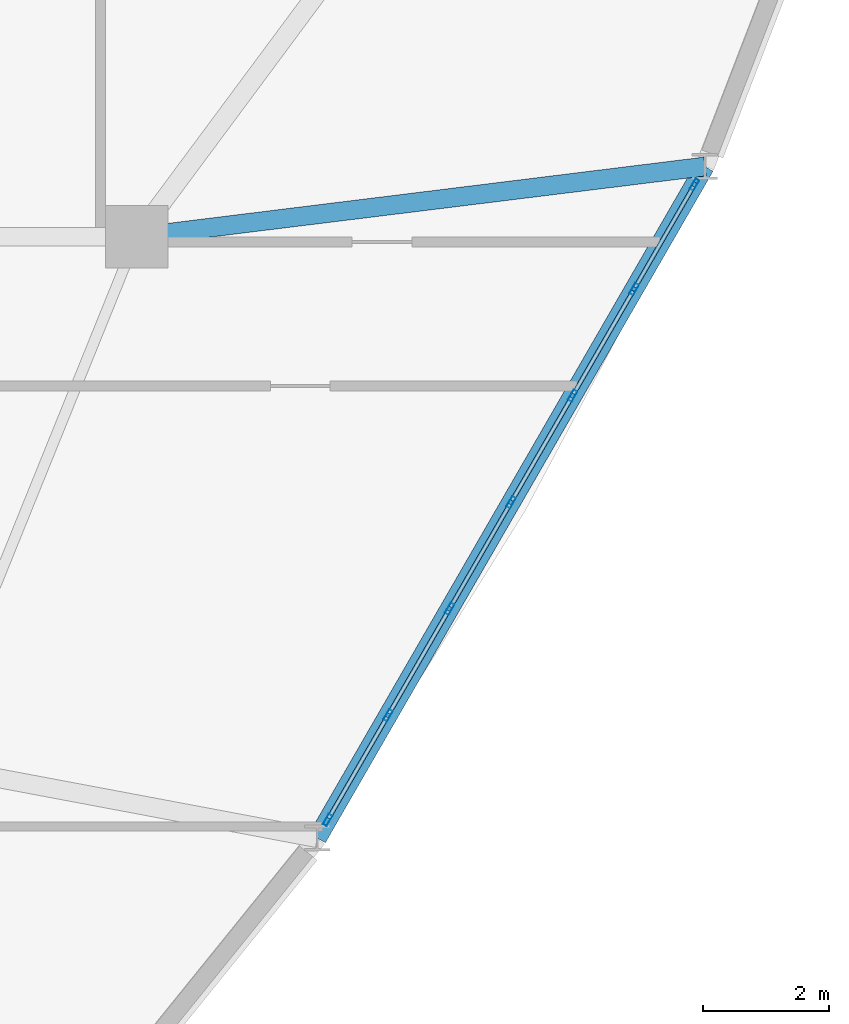
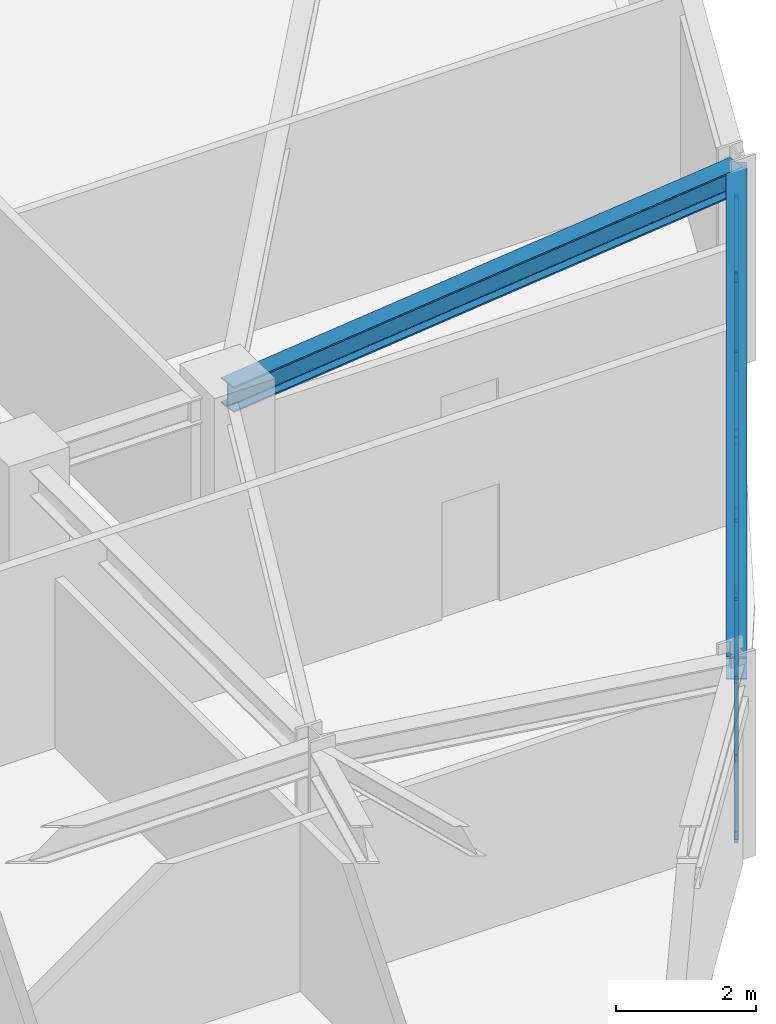
# One storey, part 6 of 18: 21 members, 2 beams, 1 element without a shape of its own.
"""IFC4 building model written with IfcOpenShell, lengths in metres."""

from ifc_helpers import new_model, si_unit, derived_unit, direction, frame, origin, origin_2d, place, context, subcontext, project, spatial, hollow_rectangle, i_section, extrude, source, transform, mapped, material, layer, layer_set, material_profile, profile_set, type_object, element, aggregate, save


model = new_model("IFC4")

# Units and contexts
model_context = context("Model", 3, precision=1e-05, world=origin(), true_north=direction((0.0, 1.0)))
body_context = subcontext(model_context, "Body", "Model", "MODEL_VIEW")
ifc_project = project(units=[si_unit("LENGTHUNIT", "METRE"), si_unit("AREAUNIT", "SQUARE_METRE"), si_unit("VOLUMEUNIT", "CUBIC_METRE"), si_unit("PLANEANGLEUNIT", "RADIAN"), si_unit("MASSUNIT", "GRAM", prefix="KILO"), derived_unit("THERMALTRANSMITTANCEUNIT", [(si_unit("POWERUNIT", "WATT"), 1), (si_unit("LENGTHUNIT", "METRE"), -2), (si_unit("THERMODYNAMICTEMPERATUREUNIT", "KELVIN"), -1)])], contexts=[model_context])

# Site, building, storey
site_placement = place(None, origin())
site = spatial("IfcSite", under=ifc_project, at=site_placement, CompositionType="ELEMENT")
building_placement = place(site_placement, origin())
building = spatial("IfcBuilding", under=site, at=building_placement, Name="Korsvarv Bourse and Concert Hall", CompositionType="ELEMENT")
storey_placement = place(building_placement, frame((0.0, 0.0, 209.39990234375)))
storey = spatial("IfcBuildingStorey", under=building, at=storey_placement, Name="L54", CompositionType="ELEMENT", Elevation=209.39990234375)

# Beams
ifc_material_1 = material(Name="Steel S355", Category="steel")
ifc_material_profile_1 = material_profile(ifc_material_1, i_section(OverallWidth=0.300048828125, OverallDepth=0.389892578125, WebThickness=0.010986328125, FlangeThickness=0.01904296875, FilletRadius=0.02099609375, at=origin_2d()), Name="HEA 400")
ifc_profile_set_1 = profile_set([ifc_material_profile_1], Name="Steel S355")
beam_type_1 = type_object("IfcBeamType", Name="BM-HEA400", PredefinedType="BEAM", material=ifc_profile_set_1)
shared_shape_1 = source(origin(), body_context, "Body", "SweptSolid", [
    extrude(i_section(OverallWidth=0.300048828125, OverallDepth=0.389892578125, WebThickness=0.010986328125, FlangeThickness=0.01904296875, FilletRadius=0.02099609375, at=origin_2d()), origin(), (0.0, 0.0, 1.0), 12.353271484375),
])
beam_1_placement = place(storey_placement, frame((50.675048828125, 22.820068359375, 3.215087890625), z_axis=(0.500007577232, 0.866021029023, 0.0), x_axis=(-0.866021029023, 0.500007577232, 0.0)))
element("IfcBeam", 1, at=beam_1_placement, inside=storey, type_object=beam_type_1, Name="L54 beam B-11", PredefinedType="BEAM", context=body_context, shape_type="MappedRepresentation", body=[
    mapped(shared_shape_1, transform((0.0, 0.0, 0.0), scale=1.0)),
])
ifc_material_profile_2 = material_profile(ifc_material_1, i_section(OverallWidth=0.300048828125, OverallDepth=0.449951171875, WebThickness=0.013916015625, FlangeThickness=0.02587890625, FilletRadius=0.02099609375, at=origin_2d()), Name="HEB 450")
ifc_profile_set_2 = profile_set([ifc_material_profile_2], Name="Steel S355")
beam_type_2 = type_object("IfcBeamType", Name="BM-HEB450", PredefinedType="SPANDREL", material=ifc_profile_set_2)
shared_shape_2 = source(origin(), body_context, "Body", "SweptSolid", [
    extrude(i_section(OverallWidth=0.300048828125, OverallDepth=0.449951171875, WebThickness=0.013916015625, FlangeThickness=0.02587890625, FilletRadius=0.02099609375, at=origin_2d()), origin(), (0.0, 0.0, 1.0), 9.12060546875),
])
beam_2_placement = place(storey_placement, frame((56.851806640625, 33.518310546875, 3.18505859375), z_axis=(-0.992453132318, -0.122624549551, 0.0), x_axis=(0.122624549551, -0.992453132318, 0.0)))
element("IfcBeam", 2, at=beam_2_placement, inside=storey, type_object=beam_type_2, Name="L54 beam B-08", PredefinedType="SPANDREL", context=body_context, shape_type="MappedRepresentation", body=[
    mapped(shared_shape_2, transform((0.0, 0.0, 0.0), scale=1.0)),
])

# Curtain wall, members
ifc_material_2 = material(Name="Anodised aluminium and triple low-E glazing", Category="glass")
ifc_layer = layer(ifc_material_2, 0.199951171875)
ifc_layer_set = layer_set([ifc_layer], Name="Anodised aluminium and triple low-E glazing")
curtain_wall_type = type_object("IfcCurtainWallType", Name="CW-SYS-3", PredefinedType="NOTDEFINED", material=ifc_layer_set)
curtain_wall_placement = place(storey_placement, origin())
curtain_wall = element("IfcCurtainWall", 3, at=curtain_wall_placement, inside=storey, type_object=curtain_wall_type, Name="L54 CW3 curtain wall CW-L54-F11", PredefinedType="NOTDEFINED")
ifc_material_3 = material(Name="Extruded aluminium EN AW-6063 T66", Category="aluminium")
ifc_material_profile_3 = material_profile(ifc_material_3, hollow_rectangle(XDim=0.070068359375, YDim=0.18994140625, WallThickness=0.0048828125, at=origin_2d()), Name="ALU-M 70x190")
ifc_profile_set_3 = profile_set([ifc_material_profile_3], Name="Extruded aluminium EN AW-6063 T66")
member_type_1 = type_object("IfcMemberType", Name="CWM-190", PredefinedType="MULLION", material=ifc_profile_set_3)
shared_shape_3 = source(origin(), body_context, "Body", "SweptSolid", [
    extrude(hollow_rectangle(XDim=0.070068359375, YDim=0.18994140625, WallThickness=0.0048828125, at=origin_2d()), origin(), (0.0, 0.0, 1.0), 3.02001953125),
])
member_1_placement = place(storey_placement, frame((50.841552734375, 23.1083984375, 0.0), z_axis=(0.0, 0.0, 1.0), x_axis=(-0.86602737949, 0.499996577961, 0.0)))
member_1 = element("IfcMember", 4, at=member_1_placement, type_object=member_type_1, Name="CW3 mullion 1", PredefinedType="MULLION", context=body_context, shape_type="MappedRepresentation", body=[
    mapped(shared_shape_3, transform((0.0, 0.0, 0.0), scale=1.0)),
])
member_2_placement = place(storey_placement, frame((51.803955078125, 24.775146484375, 0.0), z_axis=(0.0, 0.0, 1.0), x_axis=(-0.86602737949, 0.499996577961, 0.0)))
member_2 = element("IfcMember", 5, at=member_2_placement, type_object=member_type_1, Name="CW3 mullion 2", PredefinedType="MULLION", context=body_context, shape_type="MappedRepresentation", body=[
    mapped(shared_shape_3, transform((0.0, 0.0, 0.0), scale=1.0)),
])
member_3_placement = place(storey_placement, frame((52.78369140625, 26.47216796875, 0.0), z_axis=(0.0, 0.0, 1.0), x_axis=(-0.86602737949, 0.499996577961, 0.0)))
member_3 = element("IfcMember", 6, at=member_3_placement, type_object=member_type_1, Name="CW3 mullion 3", PredefinedType="MULLION", context=body_context, shape_type="MappedRepresentation", body=[
    mapped(shared_shape_3, transform((0.0, 0.0, 0.0), scale=1.0)),
])
member_4_placement = place(storey_placement, frame((53.763427734375, 28.169189453125, 0.0), z_axis=(0.0, 0.0, 1.0), x_axis=(-0.86602737949, 0.499996577961, 0.0)))
member_4 = element("IfcMember", 7, at=member_4_placement, type_object=member_type_1, Name="CW3 mullion 4", PredefinedType="MULLION", context=body_context, shape_type="MappedRepresentation", body=[
    mapped(shared_shape_3, transform((0.0, 0.0, 0.0), scale=1.0)),
])
member_5_placement = place(storey_placement, frame((54.7431640625, 29.8662109375, 0.0), z_axis=(0.0, 0.0, 1.0), x_axis=(-0.86602737949, 0.499996577961, 0.0)))
member_5 = element("IfcMember", 8, at=member_5_placement, type_object=member_type_1, Name="CW3 mullion 5", PredefinedType="MULLION", context=body_context, shape_type="MappedRepresentation", body=[
    mapped(shared_shape_3, transform((0.0, 0.0, 0.0), scale=1.0)),
])
member_6_placement = place(storey_placement, frame((55.722900390625, 31.563232421875, 0.0), z_axis=(0.0, 0.0, 1.0), x_axis=(-0.86602737949, 0.499996577961, 0.0)))
member_6 = element("IfcMember", 9, at=member_6_placement, type_object=member_type_1, Name="CW3 mullion 6", PredefinedType="MULLION", context=body_context, shape_type="MappedRepresentation", body=[
    mapped(shared_shape_3, transform((0.0, 0.0, 0.0), scale=1.0)),
])
member_7_placement = place(storey_placement, frame((56.685302734375, 33.22998046875, 0.0), z_axis=(0.0, 0.0, 1.0), x_axis=(-0.86602737949, 0.499996577961, 0.0)))
member_7 = element("IfcMember", 10, at=member_7_placement, type_object=member_type_1, Name="CW3 mullion 7", PredefinedType="MULLION", context=body_context, shape_type="MappedRepresentation", body=[
    mapped(shared_shape_3, transform((0.0, 0.0, 0.0), scale=1.0)),
])
ifc_material_profile_4 = material_profile(ifc_material_3, hollow_rectangle(XDim=0.06494140625, YDim=0.139892578125, WallThickness=0.00390625, at=origin_2d()), Name="ALU-T 65x140")
ifc_profile_set_4 = profile_set([ifc_material_profile_4], Name="Extruded aluminium EN AW-6063 T66")
member_type_2 = type_object("IfcMemberType", Name="CWT-140", PredefinedType="USERDEFINED", material=ifc_profile_set_4)
shared_shape_4 = source(origin(), body_context, "Body", "SweptSolid", [
    extrude(hollow_rectangle(XDim=0.06494140625, YDim=0.139892578125, WallThickness=0.00390625, at=origin_2d()), origin(), (0.0, 0.0, 1.0), 1.8544921875),
])
member_8_placement = place(storey_placement, frame((50.859130859375, 23.138671875, 0.03271484375), z_axis=(0.500018753476, 0.866014576189, 0.0), x_axis=(-0.866014576189, 0.500018753476, 0.0)))
member_8 = element("IfcMember", 11, at=member_8_placement, type_object=member_type_2, Name="CW3 transom 1.1", ObjectType="TRANSOM", PredefinedType="USERDEFINED", context=body_context, shape_type="MappedRepresentation", body=[
    mapped(shared_shape_4, transform((0.0, 0.0, 0.0), scale=1.0)),
])
member_9_placement = place(storey_placement, frame((50.859130859375, 23.138671875, 2.987548828125), z_axis=(0.500018753476, 0.866014576189, 0.0), x_axis=(-0.866014576189, 0.500018753476, 0.0)))
member_9 = element("IfcMember", 12, at=member_9_placement, type_object=member_type_2, Name="CW3 transom 1.2", ObjectType="TRANSOM", PredefinedType="USERDEFINED", context=body_context, shape_type="MappedRepresentation", body=[
    mapped(shared_shape_4, transform((0.0, 0.0, 0.0), scale=1.0)),
])
shared_shape_5 = source(origin(), body_context, "Body", "SweptSolid", [
    extrude(hollow_rectangle(XDim=0.06494140625, YDim=0.139892578125, WallThickness=0.00390625, at=origin_2d()), origin(), (0.0, 0.0, 1.0), 1.8896484375),
])
member_10_placement = place(storey_placement, frame((51.8212890625, 24.805419921875, 0.03271484375), z_axis=(0.500002049001, 0.86602422079, 0.0), x_axis=(-0.86602422079, 0.500002049001, 0.0)))
member_10 = element("IfcMember", 13, at=member_10_placement, type_object=member_type_2, Name="CW3 transom 2.1", ObjectType="TRANSOM", PredefinedType="USERDEFINED", context=body_context, shape_type="MappedRepresentation", body=[
    mapped(shared_shape_5, transform((0.0, 0.0, 0.0), scale=1.0)),
])
member_11_placement = place(storey_placement, frame((51.8212890625, 24.805419921875, 2.987548828125), z_axis=(0.500002049001, 0.86602422079, 0.0), x_axis=(-0.86602422079, 0.500002049001, 0.0)))
member_11 = element("IfcMember", 14, at=member_11_placement, type_object=member_type_2, Name="CW3 transom 2.2", ObjectType="TRANSOM", PredefinedType="USERDEFINED", context=body_context, shape_type="MappedRepresentation", body=[
    mapped(shared_shape_5, transform((0.0, 0.0, 0.0), scale=1.0)),
])
member_12_placement = place(storey_placement, frame((53.781005859375, 28.199462890625, 0.03271484375), z_axis=(0.500002049001, 0.86602422079, 0.0), x_axis=(-0.86602422079, 0.500002049001, 0.0)))
member_12 = element("IfcMember", 15, at=member_12_placement, type_object=member_type_2, Name="CW3 transom 4.1", ObjectType="TRANSOM", PredefinedType="USERDEFINED", context=body_context, shape_type="MappedRepresentation", body=[
    mapped(shared_shape_5, transform((0.0, 0.0, 0.0), scale=1.0)),
])
member_13_placement = place(storey_placement, frame((53.781005859375, 28.199462890625, 2.987548828125), z_axis=(0.500002049001, 0.86602422079, 0.0), x_axis=(-0.86602422079, 0.500002049001, 0.0)))
member_13 = element("IfcMember", 16, at=member_13_placement, type_object=member_type_2, Name="CW3 transom 4.2", ObjectType="TRANSOM", PredefinedType="USERDEFINED", context=body_context, shape_type="MappedRepresentation", body=[
    mapped(shared_shape_5, transform((0.0, 0.0, 0.0), scale=1.0)),
])
member_14_placement = place(storey_placement, frame((54.7607421875, 29.896484375, 0.03271484375), z_axis=(0.500002049001, 0.86602422079, 0.0), x_axis=(-0.86602422079, 0.500002049001, 0.0)))
member_14 = element("IfcMember", 17, at=member_14_placement, type_object=member_type_2, Name="CW3 transom 5.1", ObjectType="TRANSOM", PredefinedType="USERDEFINED", context=body_context, shape_type="MappedRepresentation", body=[
    mapped(shared_shape_5, transform((0.0, 0.0, 0.0), scale=1.0)),
])
member_15_placement = place(storey_placement, frame((54.7607421875, 29.896484375, 2.987548828125), z_axis=(0.500002049001, 0.86602422079, 0.0), x_axis=(-0.86602422079, 0.500002049001, 0.0)))
member_15 = element("IfcMember", 18, at=member_15_placement, type_object=member_type_2, Name="CW3 transom 5.2", ObjectType="TRANSOM", PredefinedType="USERDEFINED", context=body_context, shape_type="MappedRepresentation", body=[
    mapped(shared_shape_5, transform((0.0, 0.0, 0.0), scale=1.0)),
])
shared_shape_6 = source(origin(), body_context, "Body", "SweptSolid", [
    extrude(hollow_rectangle(XDim=0.06494140625, YDim=0.139892578125, WallThickness=0.00390625, at=origin_2d()), origin(), (0.0, 0.0, 1.0), 1.889404296875),
])
member_16_placement = place(storey_placement, frame((52.80126953125, 26.50244140625, 0.03271484375), z_axis=(0.499905140254, 0.866080164158, 0.0), x_axis=(-0.866080164158, 0.499905140254, 0.0)))
member_16 = element("IfcMember", 19, at=member_16_placement, type_object=member_type_2, Name="CW3 transom 3.1", ObjectType="TRANSOM", PredefinedType="USERDEFINED", context=body_context, shape_type="MappedRepresentation", body=[
    mapped(shared_shape_6, transform((0.0, 0.0, 0.0), scale=1.0)),
])
member_17_placement = place(storey_placement, frame((52.80126953125, 26.50244140625, 2.987548828125), z_axis=(0.499905140254, 0.866080164158, 0.0), x_axis=(-0.866080164158, 0.499905140254, 0.0)))
member_17 = element("IfcMember", 20, at=member_17_placement, type_object=member_type_2, Name="CW3 transom 3.2", ObjectType="TRANSOM", PredefinedType="USERDEFINED", context=body_context, shape_type="MappedRepresentation", body=[
    mapped(shared_shape_6, transform((0.0, 0.0, 0.0), scale=1.0)),
])
ifc_material_profile_5 = material_profile(ifc_material_3, hollow_rectangle(XDim=0.06494140625, YDim=0.1650390625, WallThickness=0.0048828125, at=origin_2d()), Name="ALU-M 65x165")
ifc_profile_set_5 = profile_set([ifc_material_profile_5], Name="Extruded aluminium EN AW-6063 T66")
member_type_3 = type_object("IfcMemberType", Name="CWM-165", PredefinedType="MULLION", material=ifc_profile_set_5)
shared_shape_7 = source(origin(), body_context, "Body", "SweptSolid", [
    extrude(hollow_rectangle(XDim=0.06494140625, YDim=0.1650390625, WallThickness=0.0048828125, at=origin_2d()), origin(), (0.0, 0.0, 1.0), 3.452880859375),
])
member_18_placement = place(storey_placement, frame((52.80126953125, 26.50244140625, 0.065185546875), z_axis=(0.273570080574, 0.473957159495, 0.836973130978), x_axis=(-0.866080164158, 0.499905140254, 0.0)))
member_18 = element("IfcMember", 21, at=member_18_placement, type_object=member_type_3, Name="CW3 diagonal mullion 3", PredefinedType="MULLION", context=body_context, shape_type="MappedRepresentation", body=[
    mapped(shared_shape_7, transform((0.0, 0.0, 0.0), scale=1.0)),
])
shared_shape_8 = source(origin(), body_context, "Body", "SweptSolid", [
    extrude(hollow_rectangle(XDim=0.06494140625, YDim=0.139892578125, WallThickness=0.00390625, at=origin_2d()), origin(), (0.0, 0.0, 1.0), 1.854736328125),
])
member_19_placement = place(storey_placement, frame((55.740478515625, 31.593505859375, 0.03271484375), z_axis=(0.49996174997, 0.866047486323, 0.0), x_axis=(-0.866047486323, 0.49996174997, 0.0)))
member_19 = element("IfcMember", 22, at=member_19_placement, type_object=member_type_2, Name="CW3 transom 6.1", ObjectType="TRANSOM", PredefinedType="USERDEFINED", context=body_context, shape_type="MappedRepresentation", body=[
    mapped(shared_shape_8, transform((0.0, 0.0, 0.0), scale=1.0)),
])
member_20_placement = place(storey_placement, frame((55.740478515625, 31.593505859375, 2.987548828125), z_axis=(0.49996174997, 0.866047486323, 0.0), x_axis=(-0.866047486323, 0.49996174997, 0.0)))
member_20 = element("IfcMember", 23, at=member_20_placement, type_object=member_type_2, Name="CW3 transom 6.2", ObjectType="TRANSOM", PredefinedType="USERDEFINED", context=body_context, shape_type="MappedRepresentation", body=[
    mapped(shared_shape_8, transform((0.0, 0.0, 0.0), scale=1.0)),
])
shared_shape_9 = source(origin(), body_context, "Body", "SweptSolid", [
    extrude(hollow_rectangle(XDim=0.06494140625, YDim=0.1650390625, WallThickness=0.0048828125, at=origin_2d()), origin(), (0.0, 0.0, 1.0), 3.433837890625),
])
member_21_placement = place(storey_placement, frame((56.667724609375, 33.19970703125, 0.065185546875), z_axis=(-0.270033093834, -0.46775874785, 0.841596032574), x_axis=(0.866047486323, -0.49996174997, 0.0)))
member_21 = element("IfcMember", 24, at=member_21_placement, type_object=member_type_3, Name="CW3 diagonal mullion 6", PredefinedType="MULLION", context=body_context, shape_type="MappedRepresentation", body=[
    mapped(shared_shape_9, transform((0.0, 0.0, 0.0), scale=1.0)),
])
aggregate(curtain_wall, [member_1, member_2, member_3, member_4, member_5, member_6, member_7, member_8, member_9, member_10, member_11, member_16, member_17, member_18, member_12, member_13, member_14, member_15, member_19, member_20, member_21])

save(model, "model.ifc")
